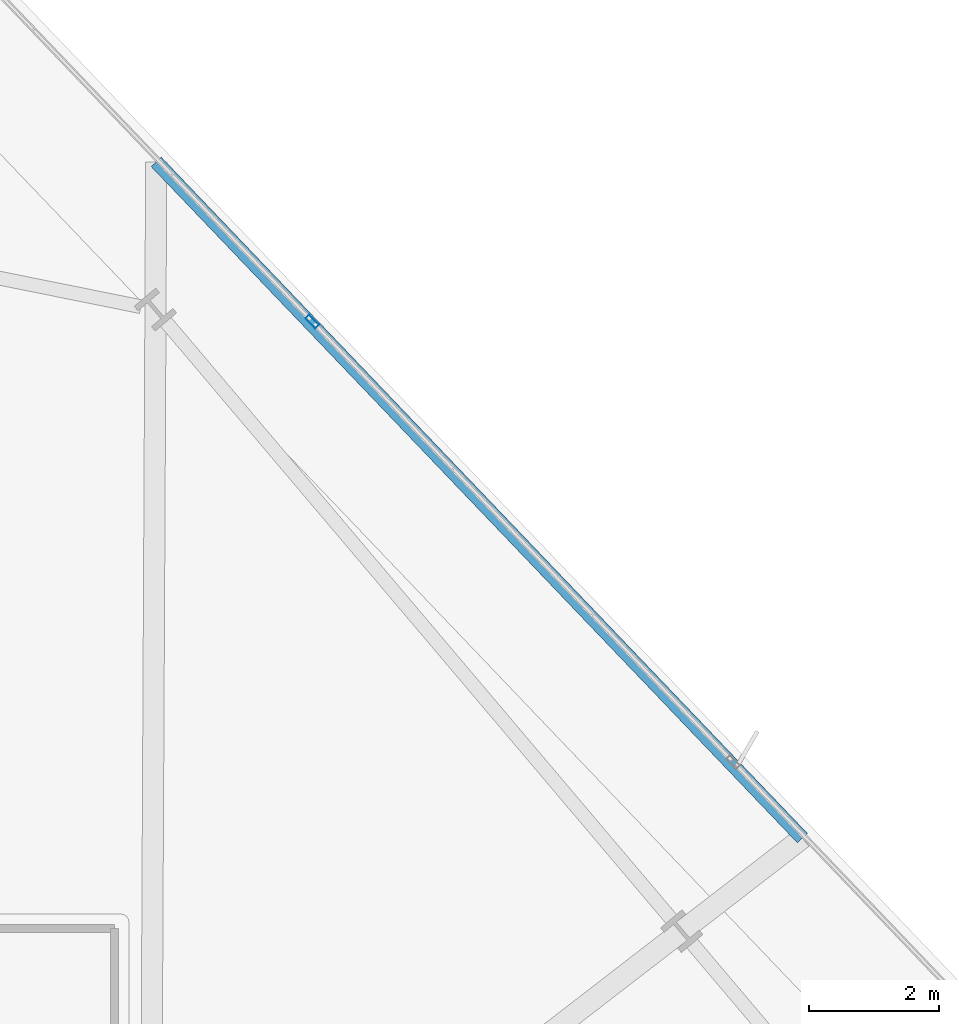
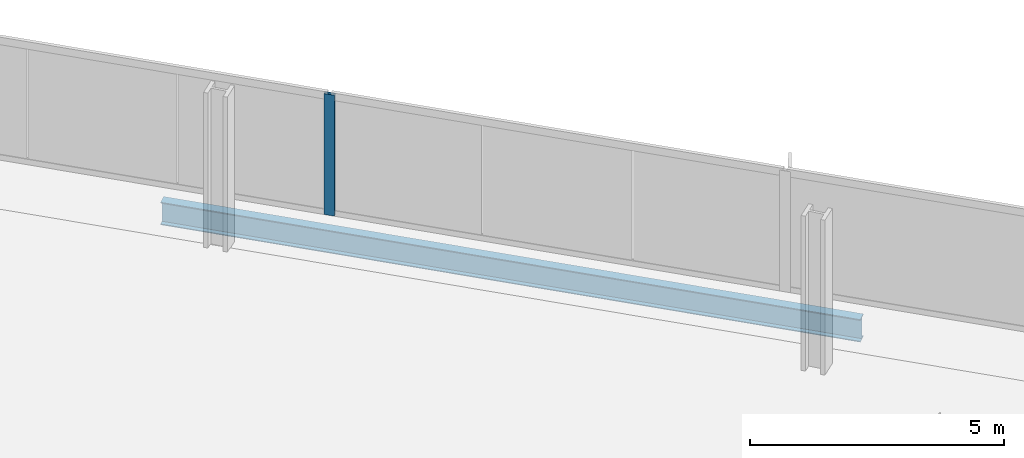
# One storey, part 22 of 33: 1 beam, 1 member, 1 element without a shape of its own.
"""IFC4 building model written with IfcOpenShell, lengths in metres."""

from ifc_helpers import new_model, si_unit, direction, frame, origin, origin_2d, place, context, subcontext, project, spatial, hollow_rectangle, i_section, extrude, material, material_profile, profile_set, type_object, element, aggregate, save


model = new_model("IFC4")

# Units and contexts
model_context = context("Model", 3, precision=1e-05, world=origin(), true_north=direction((0.0, 1.0)))
body_context = subcontext(model_context, "Body", "Model", "MODEL_VIEW")
ifc_project = project(units=[si_unit("LENGTHUNIT", "METRE"), si_unit("AREAUNIT", "SQUARE_METRE"), si_unit("VOLUMEUNIT", "CUBIC_METRE"), si_unit("PLANEANGLEUNIT", "RADIAN"), si_unit("MASSUNIT", "GRAM", prefix="KILO")], contexts=[model_context])

# Site, building, storey
site_placement = place(None, origin())
site = spatial("IfcSite", under=ifc_project, at=site_placement, CompositionType="ELEMENT")
building_placement = place(site_placement, origin())
building = spatial("IfcBuilding", under=site, at=building_placement, Name="Haldenkirk Collegiate Tower", CompositionType="ELEMENT")
storey_placement = place(building_placement, frame((0.0, 0.0, 174.449951171875)))
storey = spatial("IfcBuildingStorey", under=building, at=storey_placement, Name="L43", CompositionType="ELEMENT", Elevation=174.449951171875)

# Beam
ifc_material_1 = material(Name="Steel ASTM A992 Grade 50", Category="steel")
ifc_material_profile_1 = material_profile(ifc_material_1, i_section(OverallWidth=0.2119140625, OverallDepth=0.5439453125, WebThickness=0.01318359375, FlangeThickness=0.021240234375, at=origin_2d()), Name="W21X83")
ifc_profile_set_1 = profile_set([ifc_material_profile_1], Name="Steel ASTM A992 Grade 50")
beam_type = type_object("IfcBeamType", Name="BM-SPANDREL-W21X83", PredefinedType="SPANDREL", material=ifc_profile_set_1)
beam_placement = place(storey_placement, frame((55.02685546875, 41.739501953125, -0.56201171875), z_axis=(-0.690881829455, 0.722967701719, 0.0), x_axis=(-0.722967701719, -0.690881829455, 0.0)))
element("IfcBeam", 1, at=beam_placement, inside=storey, type_object=beam_type, Name="L43 outer facade edge beam 2", PredefinedType="SPANDREL", context=body_context, shape_type="SweptSolid", body=[
    extrude(i_section(OverallWidth=0.2119140625, OverallDepth=0.5439453125, WebThickness=0.01318359375, FlangeThickness=0.021240234375, at=origin_2d()), origin(), (0.0, 0.0, 1.0), 14.380859375),
])

# Curtain wall, member
ifc_material_2 = material(Name="Anodised architectural bronze aluminium", Category="aluminium")
curtain_wall_type = type_object("IfcCurtainWallType", Name="CW-SYS1-CONVEX-LOW", PredefinedType="USERDEFINED", material=ifc_material_2)
curtain_wall_placement = place(storey_placement, origin())
curtain_wall = element("IfcCurtainWall", 2, at=curtain_wall_placement, inside=storey, type_object=curtain_wall_type, Name="L43 Lower tower convex bronze-framed unitised curtain wall", ObjectType="UNITISED CURTAIN WALL", PredefinedType="USERDEFINED")
ifc_material_profile_2 = material_profile(ifc_material_2, hollow_rectangle(XDim=0.080078125, YDim=0.219970703125, WallThickness=0.0048828125, at=origin_2d()), Name="CW-MUL-1A")
ifc_profile_set_2 = profile_set([ifc_material_profile_2], Name="Anodised architectural bronze aluminium")
member_type = type_object("IfcMemberType", Name="CW-MUL-1A", PredefinedType="MULLION", material=ifc_profile_set_2)
member_placement = place(storey_placement, frame((47.492431640625, 49.681640625, 0.0), z_axis=(0.0, 0.0, 1.0), x_axis=(0.722966195918, 0.690883405185, 0.0)))
member = element("IfcMember", 3, at=member_placement, type_object=member_type, Name="CW-1A mullion 2", PredefinedType="MULLION", context=body_context, shape_type="SweptSolid", body=[
    extrude(hollow_rectangle(XDim=0.080078125, YDim=0.219970703125, WallThickness=0.0048828125, at=origin_2d()), origin(), (0.0, 0.0, 1.0), 2.9111328125),
])
aggregate(curtain_wall, [member])

save(model, "model.ifc")
